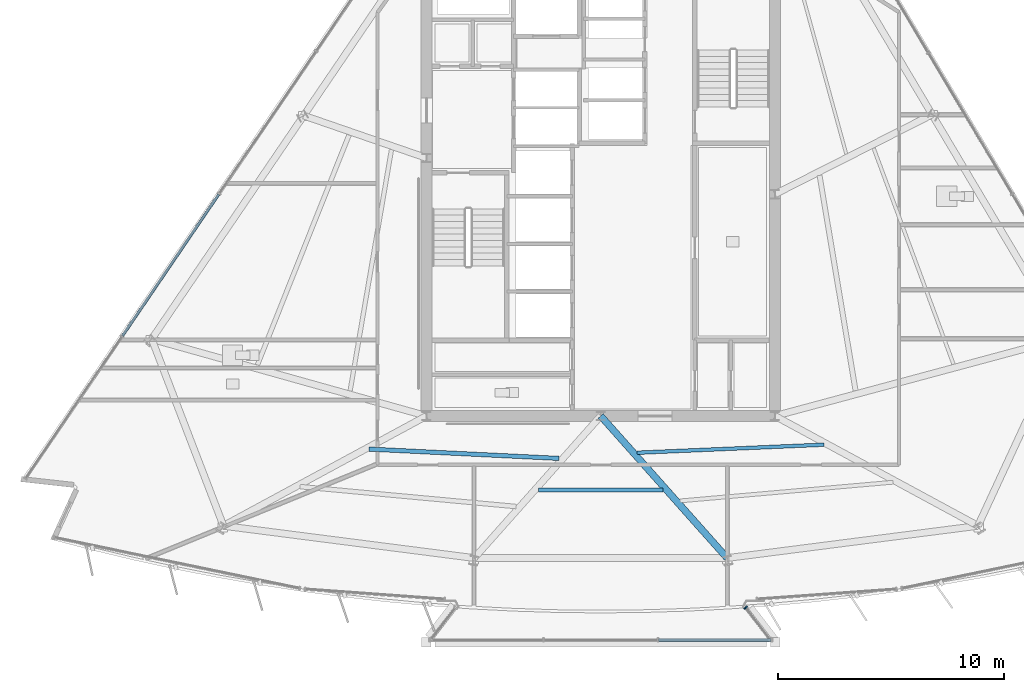
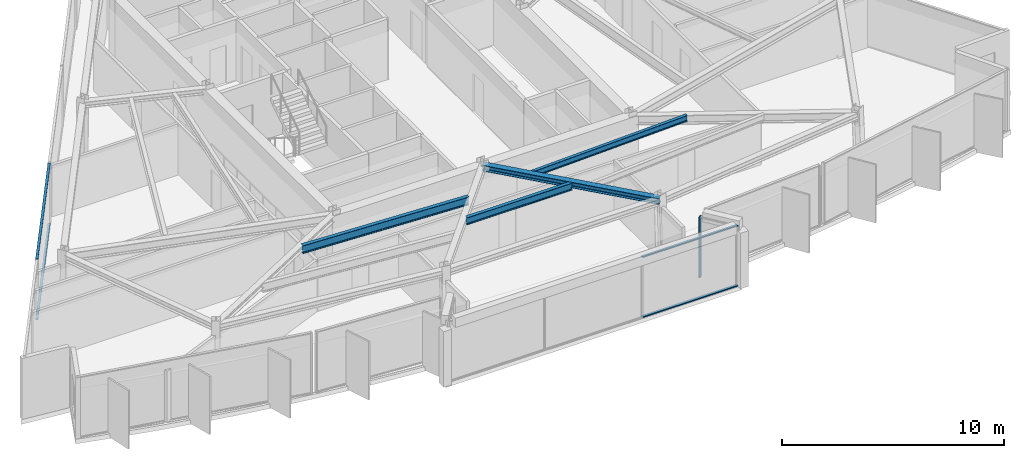
# One storey, part 3 of 14: 5 members, 4 beams, 3 elements without a shape of their own.
"""IFC4 building model written with IfcOpenShell, lengths in metres."""

import ifcopenshell
import ifcopenshell.guid

model = None  # the IFC model being written
_history = None  # IfcOwnerHistory: only IFC2X3 demands one
_inside = {}  # id of a spatial element -> (the spatial element, [elements in it])
_under = {}  # id of a project, library or spatial element -> (it, [spatial elements below it])
_declared = {}  # id of a project -> (the project, [libraries it declares])
_typed = {}  # id of a type object -> (the type object, [elements of that type])
_made_of = {}  # id of a material, layer set ... -> (it, [elements and type objects made of it])


def new_model(schema):
    """Start an empty IFC model of exactly this schema.

    Asked for "IFC4X3", IfcOpenShell would pick the latest addendum, in which some entities
    have other attributes; the version numbers below select the first issue.
    IFC2X3 requires an IfcOwnerHistory on every rooted entity: one is made here for all.
    """
    global model, _history
    if schema == "IFC4X3":
        model = ifcopenshell.file(schema_version=(4, 3, 0, 0))
    else:
        model = ifcopenshell.file(schema=schema)
    _inside.clear()
    _under.clear()
    _declared.clear()
    _typed.clear()
    _made_of.clear()
    _history = None
    if model.schema == "IFC2X3":
        org = make("IfcOrganization", Name="unknown")
        user = make(
            "IfcPersonAndOrganization",
            ThePerson=make("IfcPerson", FamilyName="unknown"),
            TheOrganization=org,
        )
        app = make(
            "IfcApplication",
            ApplicationDeveloper=org,
            Version="unknown",
            ApplicationFullName="unknown",
            ApplicationIdentifier="unknown",
        )
        _history = make(
            "IfcOwnerHistory",
            OwningUser=user,
            OwningApplication=app,
            ChangeAction="ADDED",
            CreationDate=0,
        )
    return model


def make(cls, **values):
    """One entity of the class cls with the attributes given. An attribute that is None is left unset."""
    return model.create_entity(
        cls, **{name: value for name, value in values.items() if value is not None}
    )


def rooted(cls, **values):
    """An entity with a GlobalId (a new one), such as an element, a storey or a relation."""
    return make(cls, GlobalId=ifcopenshell.guid.new(), OwnerHistory=_history, **values)


def si_unit(unit_type, name, prefix=None):
    """IfcSIUnit, for example si_unit("LENGTHUNIT", "METRE", prefix="MILLI")."""
    return make("IfcSIUnit", UnitType=unit_type, Prefix=prefix, Name=name)


def assignment(units):
    """IfcUnitAssignment: the units of a project."""
    return None if units is None else make("IfcUnitAssignment", Units=units)


def point(xyz):
    """IfcCartesianPoint."""
    return None if xyz is None else make("IfcCartesianPoint", Coordinates=xyz)


def direction(xyz):
    """IfcDirection."""
    return None if xyz is None else make("IfcDirection", DirectionRatios=xyz)


def frame(location, z_axis=None, x_axis=None):
    """IfcAxis2Placement3D, a coordinate frame: its origin and axes. An axis left out is left unset."""
    return make(
        "IfcAxis2Placement3D",
        Location=point(location),
        Axis=direction(z_axis),
        RefDirection=direction(x_axis),
    )


def frame_2d(location, x_axis=None):
    """IfcAxis2Placement2D, a coordinate frame in the plane: its origin and x axis."""
    return make(
        "IfcAxis2Placement2D", Location=point(location), RefDirection=direction(x_axis)
    )


def origin():
    """The frame at (0, 0, 0) with its axes left unset."""
    return frame((0.0, 0.0, 0.0))


def origin_2d():
    """The frame at (0, 0) in the plane with its x axis left unset."""
    return frame_2d((0.0, 0.0))


def place(relative_to, where):
    """IfcLocalPlacement: puts the frame where relative to a parent placement (None: the world)."""
    return make(
        "IfcLocalPlacement", PlacementRelTo=relative_to, RelativePlacement=where
    )


def context(
    kind, dimensions, precision=None, world=None, true_north=None, identifier=None
):
    """IfcGeometricRepresentationContext, for example the 3D "Model" context."""
    return make(
        "IfcGeometricRepresentationContext",
        ContextIdentifier=identifier,
        ContextType=kind,
        CoordinateSpaceDimension=dimensions,
        Precision=precision,
        WorldCoordinateSystem=world,
        TrueNorth=true_north,
    )


def subcontext(parent, identifier, kind, view, scale=None):
    """IfcGeometricRepresentationSubContext, for example "Body" below "Model"."""
    return make(
        "IfcGeometricRepresentationSubContext",
        ContextIdentifier=identifier,
        ContextType=kind,
        ParentContext=parent,
        TargetScale=scale,
        TargetView=view,
    )


def project(units=None, contexts=None):
    """IfcProject with its units and contexts."""
    return rooted(
        "IfcProject",
        Name="project",
        RepresentationContexts=contexts,
        UnitsInContext=assignment(units),
    )


def spatial(cls, under=None, at=None, **own):
    """A site, building, storey or space (cls), placed at a placement, below another one or the project."""
    s = rooted(cls, ObjectPlacement=at, **own)
    if under is not None:
        _under.setdefault(under.id(), (under, []))[1].append(s)
    return s


def profile(cls, at=None, kind="AREA", **sizes):
    """A parametric profile (cls). Its sizes go by their IFC names, for example OverallWidth=200.0."""
    return make(cls, ProfileType=kind, Position=at, **sizes)


def rectangle(**sizes):
    """IfcRectangleProfileDef."""
    return profile("IfcRectangleProfileDef", **sizes)


def i_section(**sizes):
    """IfcIShapeProfileDef."""
    return profile("IfcIShapeProfileDef", **sizes)


def extrude(swept, where, along, depth):
    """IfcExtrudedAreaSolid: the profile swept, set in the frame where, extruded along a direction by depth."""
    return make(
        "IfcExtrudedAreaSolid",
        SweptArea=swept,
        Position=where,
        ExtrudedDirection=direction(along),
        Depth=depth,
    )


def shape(context_of_items, identifier, shape_type, items):
    """IfcShapeRepresentation: the items that make up one representation, for example the "Body"."""
    return make(
        "IfcShapeRepresentation",
        ContextOfItems=context_of_items,
        RepresentationIdentifier=identifier,
        RepresentationType=shape_type,
        Items=items,
    )


def material(Name=None, Category=None):
    """IfcMaterial."""
    return make("IfcMaterial", Name=Name, Category=Category)


def material_profile(
    of_material, cross_section, Name=None, Category=None, Priority=None
):
    """IfcMaterialProfile: a cross section and its material."""
    return make(
        "IfcMaterialProfile",
        Name=Name,
        Material=of_material,
        Profile=cross_section,
        Priority=Priority,
        Category=Category,
    )


def profile_set(profiles, Name=None, composite=None):
    """IfcMaterialProfileSet."""
    return make(
        "IfcMaterialProfileSet",
        Name=Name,
        MaterialProfiles=profiles,
        CompositeProfile=composite,
    )


def made_of(thing, what):
    """Note that an element or type object is made of a material, layer set ...; save() writes the relation."""
    if what is not None:
        _made_of.setdefault(what.id(), (what, []))[1].append(thing)
    return thing


def type_object(cls, material=None, **own):
    """A type object (cls), such as IfcWallType, which elements share."""
    return made_of(rooted(cls, **own), material)


def element(
    cls,
    number,
    at=None,
    inside=None,
    cuts=None,
    type_object=None,
    material=None,
    context=None,
    identifier="Body",
    shape_type=None,
    held_by="IfcProductDefinitionShape",
    body=None,
    shapes=None,
    **own,
):
    """One element of the class cls, such as IfcWall. Its Tag is "e" and its number.

    at: its placement. inside: the storey or other place that contains it. cuts: it is an
    opening in that element (IfcRelVoidsElement). A single representation is given by context,
    identifier, shape_type and body (its items); several are given by shapes. held_by: the class
    of the entity that holds the representations. save() writes the other relations.
    """
    e = rooted(cls, Tag="e%d" % number, ObjectPlacement=at, **own)
    if body is not None:
        shapes = [shape(context, identifier, shape_type, body)]
    if shapes is not None:
        e.Representation = make(held_by, Representations=shapes)
    if inside is not None:
        _inside.setdefault(inside.id(), (inside, []))[1].append(e)
    if cuts is not None:
        rooted(
            "IfcRelVoidsElement", RelatingBuildingElement=cuts, RelatedOpeningElement=e
        )
    if type_object is not None:
        _typed.setdefault(type_object.id(), (type_object, []))[1].append(e)
    return made_of(e, material)


def aggregate(whole, parts):
    """IfcRelAggregates: a whole, such as a stair, and the parts it consists of."""
    return rooted("IfcRelAggregates", RelatingObject=whole, RelatedObjects=parts)


def save(model, path):
    """Write the relations noted so far, then the file.

    IfcRelAggregates (storeys below a building ...), IfcRelContainedInSpatialStructure (elements
    in a storey), IfcRelDefinesByType, IfcRelAssociatesMaterial and IfcRelDeclares: one each for
    every whole, place, type object, material and project.
    """
    for whole, parts in _under.values():
        aggregate(whole, parts)
    for where, things in _inside.values():
        rooted(
            "IfcRelContainedInSpatialStructure",
            RelatedElements=things,
            RelatingStructure=where,
        )
    for kind, things in _typed.values():
        rooted("IfcRelDefinesByType", RelatedObjects=things, RelatingType=kind)
    for what, things in _made_of.values():
        rooted("IfcRelAssociatesMaterial", RelatedObjects=things, RelatingMaterial=what)
    for by, libraries in _declared.values():
        rooted("IfcRelDeclares", RelatingContext=by, RelatedDefinitions=libraries)
    model.write(path)


model = new_model("IFC4")

# Units and contexts
model_context = context("Model", 3, precision=1e-05, world=origin(), true_north=direction((0.0, 1.0)))
body_context = subcontext(model_context, "Body", "Model", "MODEL_VIEW")
ifc_project = project(units=[si_unit("LENGTHUNIT", "METRE"), si_unit("AREAUNIT", "SQUARE_METRE"), si_unit("VOLUMEUNIT", "CUBIC_METRE"), si_unit("PLANEANGLEUNIT", "RADIAN"), si_unit("MASSUNIT", "GRAM", prefix="KILO")], contexts=[model_context])

# Site, building, storey
site_placement = place(None, origin())
site = spatial("IfcSite", under=ifc_project, at=site_placement, CompositionType="ELEMENT")
building_placement = place(site_placement, origin())
building = spatial("IfcBuilding", under=site, at=building_placement, Name="Savorim Split Tower", CompositionType="ELEMENT")
storey_placement = place(building_placement, frame((0.0, 0.0, 209.10009765625)))
storey = spatial("IfcBuildingStorey", under=building, at=storey_placement, Name="L55", CompositionType="ELEMENT", Elevation=209.10009765625)

# Beams
ifc_material_1 = material(Name="Steel S355", Category="steel")
ifc_material_profile_1 = material_profile(ifc_material_1, i_section(OverallWidth=0.159912109375, OverallDepth=0.330078125, WebThickness=0.007568359375, FlangeThickness=0.011474609375, FilletRadius=0.01806640625, at=origin_2d()), Name="IPE 330")
ifc_profile_set_1 = profile_set([ifc_material_profile_1], Name="Steel S355")
beam_type_1 = type_object("IfcBeamType", Name="BM-JST-IPE330", PredefinedType="JOIST", material=ifc_profile_set_1)
beam_1_placement = place(storey_placement, frame((1.612548828125, -11.025390625, 3.184814453125), z_axis=(0.999071418559, 0.043084807274, 0.0), x_axis=(-0.043084807274, 0.999071418559, 0.0)))
element("IfcBeam", 1, at=beam_1_placement, inside=storey, type_object=beam_type_1, Name="L55 Secondary Floor Joist JS-05", PredefinedType="JOIST", context=body_context, shape_type="SweptSolid", body=[
    extrude(i_section(OverallWidth=0.159912109375, OverallDepth=0.330078125, WebThickness=0.007568359375, FlangeThickness=0.011474609375, FilletRadius=0.01806640625, at=origin_2d()), origin(), (0.0, 0.0, 1.0), 8.267333984375),
])
ifc_material_profile_2 = material_profile(ifc_material_1, i_section(OverallWidth=0.179931640625, OverallDepth=0.39990234375, WebThickness=0.008544921875, FlangeThickness=0.013427734375, FilletRadius=0.02099609375, at=origin_2d()), Name="IPE 400")
ifc_profile_set_2 = profile_set([ifc_material_profile_2], Name="Steel S355")
beam_type_2 = type_object("IfcBeamType", Name="BM-JST-IPE400", PredefinedType="JOIST", material=ifc_profile_set_2)
beam_2_placement = place(storey_placement, frame((-2.7451171875, -12.664794921875, 3.14990234375), z_axis=(1.0, 0.0, 0.0), x_axis=(0.0, 1.0, 0.0)))
element("IfcBeam", 2, at=beam_2_placement, inside=storey, type_object=beam_type_2, Name="L55 Secondary Floor Joist JS-03", PredefinedType="JOIST", context=body_context, shape_type="SweptSolid", body=[
    extrude(i_section(OverallWidth=0.179931640625, OverallDepth=0.39990234375, WebThickness=0.008544921875, FlangeThickness=0.013427734375, FilletRadius=0.02099609375, at=origin_2d()), origin(), (0.0, 0.0, 1.0), 5.490234375),
])
ifc_material_profile_3 = material_profile(ifc_material_1, i_section(OverallWidth=0.18994140625, OverallDepth=0.449951171875, WebThickness=0.009521484375, FlangeThickness=0.0146484375, FilletRadius=0.02099609375, at=origin_2d()), Name="IPE 450")
ifc_profile_set_3 = profile_set([ifc_material_profile_3], Name="Steel S355")
beam_type_3 = type_object("IfcBeamType", Name="BM-JST-IPE450", PredefinedType="JOIST", material=ifc_profile_set_3)
beam_3_placement = place(storey_placement, frame((-10.231201171875, -10.864501953125, 3.125), z_axis=(0.998803024403, -0.048913376948, 0.0), x_axis=(0.048913376948, 0.998803024403, 0.0)))
element("IfcBeam", 3, at=beam_3_placement, inside=storey, type_object=beam_type_3, Name="L55 Secondary Floor Joist JS-02", PredefinedType="JOIST", context=body_context, shape_type="SweptSolid", body=[
    extrude(i_section(OverallWidth=0.18994140625, OverallDepth=0.449951171875, WebThickness=0.009521484375, FlangeThickness=0.0146484375, FilletRadius=0.02099609375, at=origin_2d()), origin(), (0.0, 0.0, 1.0), 8.4052734375),
])
ifc_material_profile_4 = material_profile(ifc_material_1, i_section(OverallWidth=0.300048828125, OverallDepth=0.320068359375, WebThickness=0.011474609375, FlangeThickness=0.0205078125, FilletRadius=0.027099609375, at=origin_2d()), Name="HEB 320")
ifc_profile_set_4 = profile_set([ifc_material_profile_4], Name="Steel S355")
beam_type_4 = type_object("IfcBeamType", Name="BM-PRI-HEB320", PredefinedType="BEAM", material=ifc_profile_set_4)
beam_4_placement = place(storey_placement, frame((5.5869140625, -15.67822265625, 3.18994140625), z_axis=(-0.664774842604, 0.747043779601, 0.0), x_axis=(-0.747043779601, -0.664774842604, 0.0)))
element("IfcBeam", 4, at=beam_4_placement, inside=storey, type_object=beam_type_4, Name="L55 Primary Floor Girder RG-03", PredefinedType="BEAM", context=body_context, shape_type="SweptSolid", body=[
    extrude(i_section(OverallWidth=0.300048828125, OverallDepth=0.320068359375, WebThickness=0.011474609375, FlangeThickness=0.0205078125, FilletRadius=0.027099609375, at=origin_2d()), origin(), (0.0, 0.0, 1.0), 8.404296875),
])

# Curtain wall, member
ifc_material_2 = material(Name="Dark Ceramic-Fritted Insulated Glass", Category="glass")
curtain_wall_type_1 = type_object("IfcCurtainWallType", Name="CW-BAY-LOUNGE", PredefinedType="NOTDEFINED", material=ifc_material_2)
curtain_wall_1_placement = place(storey_placement, origin())
curtain_wall_1 = element("IfcCurtainWall", 5, at=curtain_wall_1_placement, inside=storey, type_object=curtain_wall_type_1, Name="L55 Curtain Wall CW-L55-BAYE", PredefinedType="NOTDEFINED")
ifc_material_3 = material(Name="Charcoal Anodised Aluminium", Category="aluminium")
ifc_material_profile_5 = material_profile(ifc_material_3, rectangle(XDim=0.179931640625, YDim=0.06494140625, at=origin_2d()), Name="ALU-M 180x65")
ifc_profile_set_5 = profile_set([ifc_material_profile_5], Name="Charcoal Anodised Aluminium")
member_type_1 = type_object("IfcMemberType", Name="CWM-180x65", PredefinedType="MULLION", material=ifc_profile_set_5)
member_1_placement = place(storey_placement, frame((6.4091796875, -17.8681640625, 0.0), z_axis=(0.0, 0.0, 1.0), x_axis=(-0.791644427418, -0.610982078738, 0.0)))
member_1 = element("IfcMember", 6, at=member_1_placement, type_object=member_type_1, Name="CW-04 mullion 2", PredefinedType="MULLION", context=body_context, shape_type="SweptSolid", body=[
    extrude(rectangle(XDim=0.179931640625, YDim=0.06494140625, at=origin_2d()), origin(), (0.0, 0.0, 1.0), 3.349853515625),
])
aggregate(curtain_wall_1, [member_1])

# Curtain wall, members
curtain_wall_type_2 = type_object("IfcCurtainWallType", Name="CW-TWR-FRIT-B", PredefinedType="NOTDEFINED", material=ifc_material_2)
curtain_wall_2_placement = place(storey_placement, origin())
curtain_wall_2 = element("IfcCurtainWall", 7, at=curtain_wall_2_placement, inside=storey, type_object=curtain_wall_type_2, Name="L55 Curtain Wall CW-L55-WEST", PredefinedType="NOTDEFINED")
ifc_material_profile_6 = material_profile(ifc_material_3, rectangle(XDim=0.1201171875, YDim=0.050048828125, at=origin_2d()), Name="ALU-T 120x50")
ifc_profile_set_6 = profile_set([ifc_material_profile_6], Name="Charcoal Anodised Aluminium")
member_type_2 = type_object("IfcMemberType", Name="CWT-120x50", PredefinedType="USERDEFINED", material=ifc_profile_set_6)
member_2_placement = place(storey_placement, frame((-16.876708984375, 0.39453125, 0.02490234375), z_axis=(-0.562460105571, -0.826824424918, 0.0), x_axis=(0.826824424918, -0.562460105571, 0.0)))
member_2 = element("IfcMember", 8, at=member_2_placement, type_object=member_type_2, Name="CW-03 transom 3.1", ObjectType="TRANSOM", PredefinedType="USERDEFINED", context=body_context, shape_type="SweptSolid", body=[
    extrude(rectangle(XDim=0.1201171875, YDim=0.050048828125, at=origin_2d()), origin(), (0.0, 0.0, 1.0), 7.5634765625),
])
member_3_placement = place(storey_placement, frame((-16.876708984375, 0.39453125, 3.324951171875), z_axis=(-0.562460105571, -0.826824424918, 0.0), x_axis=(0.826824424918, -0.562460105571, 0.0)))
member_3 = element("IfcMember", 9, at=member_3_placement, type_object=member_type_2, Name="CW-03 transom 3.2", ObjectType="TRANSOM", PredefinedType="USERDEFINED", context=body_context, shape_type="SweptSolid", body=[
    extrude(rectangle(XDim=0.1201171875, YDim=0.050048828125, at=origin_2d()), origin(), (0.0, 0.0, 1.0), 7.5634765625),
])
aggregate(curtain_wall_2, [member_2, member_3])

curtain_wall_3_placement = place(storey_placement, origin())
curtain_wall_3 = element("IfcCurtainWall", 10, at=curtain_wall_3_placement, inside=storey, type_object=curtain_wall_type_1, Name="L55 Curtain Wall CW-L55-BAYF", PredefinedType="NOTDEFINED")
ifc_material_profile_7 = material_profile(ifc_material_3, rectangle(XDim=0.139892578125, YDim=0.054931640625, at=origin_2d()), Name="ALU-T 140x55")
ifc_profile_set_7 = profile_set([ifc_material_profile_7], Name="Charcoal Anodised Aluminium")
member_type_3 = type_object("IfcMemberType", Name="CWT-140x55", PredefinedType="USERDEFINED", material=ifc_profile_set_7)
member_4_placement = place(storey_placement, frame((2.564208984375, -19.296142578125, 0.02734375), z_axis=(1.0, 0.0, 0.0), x_axis=(0.0, 1.0, 0.0)))
member_4 = element("IfcMember", 11, at=member_4_placement, type_object=member_type_3, Name="CW-04 transom 3.1", ObjectType="TRANSOM", PredefinedType="USERDEFINED", context=body_context, shape_type="SweptSolid", body=[
    extrude(rectangle(XDim=0.139892578125, YDim=0.054931640625, at=origin_2d()), origin(), (0.0, 0.0, 1.0), 4.9658203125),
])
member_5_placement = place(storey_placement, frame((2.564208984375, -19.296142578125, 3.322509765625), z_axis=(1.0, 0.0, 0.0), x_axis=(0.0, 1.0, 0.0)))
member_5 = element("IfcMember", 12, at=member_5_placement, type_object=member_type_3, Name="CW-04 transom 3.2", ObjectType="TRANSOM", PredefinedType="USERDEFINED", context=body_context, shape_type="SweptSolid", body=[
    extrude(rectangle(XDim=0.139892578125, YDim=0.054931640625, at=origin_2d()), origin(), (0.0, 0.0, 1.0), 4.9658203125),
])
aggregate(curtain_wall_3, [member_4, member_5])

save(model, "model.ifc")
